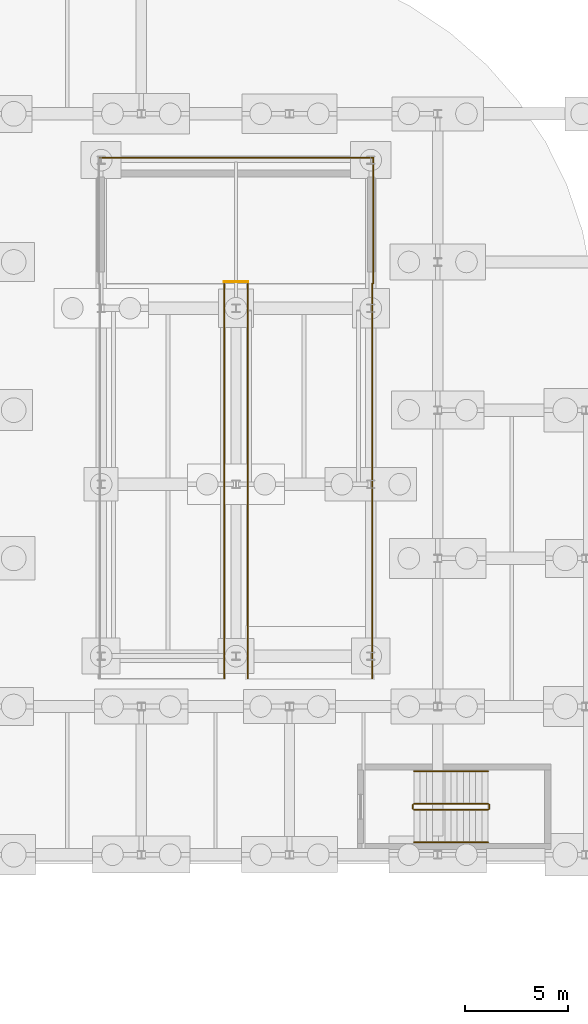
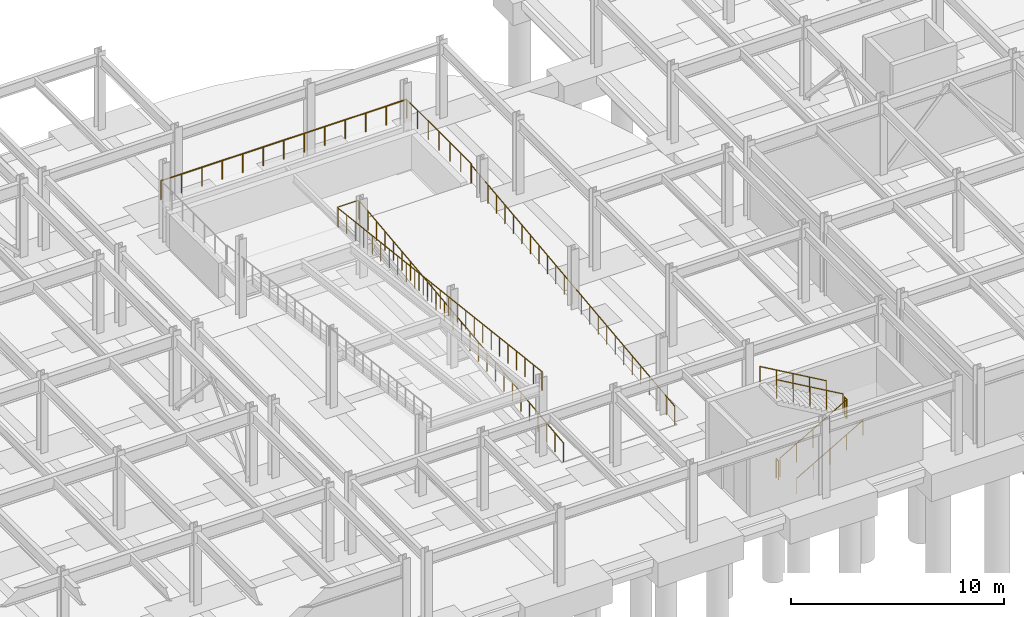
# One storey, part 52 of 54: 21 railings.
"""IFC4 building model written with IfcOpenShell, lengths in metres."""

from ifc_helpers import new_model, si_unit, direction, frame, origin, origin_2d, place, context, subcontext, project, spatial, circle, extrude, material, layer, layer_set, type_object, element, save


model = new_model("IFC4")

# Units and contexts
model_context = context("Model", 3, precision=1e-05, world=origin(), true_north=direction((0.0, 1.0)))
body_context = subcontext(model_context, "Body", "Model", "MODEL_VIEW")
ifc_project = project(units=[si_unit("LENGTHUNIT", "METRE"), si_unit("AREAUNIT", "SQUARE_METRE"), si_unit("VOLUMEUNIT", "CUBIC_METRE"), si_unit("PLANEANGLEUNIT", "RADIAN"), si_unit("MASSUNIT", "GRAM", prefix="KILO")], contexts=[model_context])

# Site, building, storey
site_placement = place(None, origin())
site = spatial("IfcSite", under=ifc_project, at=site_placement, CompositionType="ELEMENT")
building_placement = place(site_placement, origin())
building = spatial("IfcBuilding", under=site, at=building_placement, Name="Vaelcorin Mobility Hub", CompositionType="ELEMENT")
storey_placement = place(building_placement, frame((0.0, 0.0, -4.5)))
storey = spatial("IfcBuildingStorey", under=building, at=storey_placement, Name="B1", CompositionType="ELEMENT", Elevation=-4.5)

# Railings
ifc_material_1 = material(Name="Galvanised structural steel ASTM A36", Category="steel")
ifc_layer_1 = layer(ifc_material_1, 0.070068359375)
ifc_layer_set_1 = layer_set([ifc_layer_1], Name="Galvanised structural steel ASTM A36")
railing_type_1 = type_object("IfcRailingType", Name="RL-GUARD-1100", PredefinedType="BALUSTRADE", material=ifc_layer_set_1)
railing_1_placement = place(storey_placement, frame((135.97998046875, 85.360107421875, 0.0)))
element("IfcRailing", 1, at=railing_1_placement, inside=storey, type_object=railing_type_1, Name="B1 Ramp Guard GR-V2E-B1-FL1-W-01", PredefinedType="BALUSTRADE", context=body_context, shape_type="SweptSolid", body=[
    extrude(circle(Radius=0.02392578125, at=origin_2d()), frame((0.0, 0.0, 1.076171875), z_axis=(0.0, 0.993200909651, 0.116412856111), x_axis=(-1.0, 0.0, 0.0)), (0.0, 0.0, 1.0), 4.82763671875),
    extrude(circle(Radius=0.02099609375, at=origin_2d()), origin(), (0.0, 0.0, 1.0), 1.052001953125),
    extrude(circle(Radius=0.02099609375, at=origin_2d()), frame((0.0, 0.799072265625, 0.09375)), (0.0, 0.0, 1.0), 1.052001953125),
    extrude(circle(Radius=0.02099609375, at=origin_2d()), frame((0.0, 1.598388671875, 0.187255859375)), (0.0, 0.0, 1.0), 1.052001953125),
    extrude(circle(Radius=0.02099609375, at=origin_2d()), frame((0.0, 2.3974609375, 0.281005859375)), (0.0, 0.0, 1.0), 1.052001953125),
    extrude(circle(Radius=0.02099609375, at=origin_2d()), frame((0.0, 3.196533203125, 0.374755859375)), (0.0, 0.0, 1.0), 1.052001953125),
    extrude(circle(Radius=0.02099609375, at=origin_2d()), frame((0.0, 3.995849609375, 0.46826171875)), (0.0, 0.0, 1.0), 1.052001953125),
    extrude(circle(Radius=0.02099609375, at=origin_2d()), frame((0.0, 4.794921875, 0.56201171875)), (0.0, 0.0, 1.0), 1.052001953125),
])
railing_2_placement = place(storey_placement, frame((135.97998046875, 90.155029296875, 0.56201171875)))
element("IfcRailing", 2, at=railing_2_placement, inside=storey, type_object=railing_type_1, Name="B1 Ramp Guard GR-V2E-B1-FL1-W-02", PredefinedType="BALUSTRADE", context=body_context, shape_type="SweptSolid", body=[
    extrude(circle(Radius=0.02392578125, at=origin_2d()), frame((0.0, 0.0, 1.076171875), z_axis=(0.0, 0.993177502128, 0.116612388997), x_axis=(-1.0, 0.0, 0.0)), (0.0, 0.0, 1.0), 4.827880859375),
    extrude(circle(Radius=0.02099609375, at=origin_2d()), origin(), (0.0, 0.0, 1.0), 1.052001953125),
    extrude(circle(Radius=0.02099609375, at=origin_2d()), frame((0.0, 0.799072265625, 0.09375)), (0.0, 0.0, 1.0), 1.052001953125),
    extrude(circle(Radius=0.02099609375, at=origin_2d()), frame((0.0, 1.598388671875, 0.187744140625)), (0.0, 0.0, 1.0), 1.052001953125),
    extrude(circle(Radius=0.02099609375, at=origin_2d()), frame((0.0, 2.3974609375, 0.281494140625)), (0.0, 0.0, 1.0), 1.052001953125),
    extrude(circle(Radius=0.02099609375, at=origin_2d()), frame((0.0, 3.196533203125, 0.375244140625)), (0.0, 0.0, 1.0), 1.052001953125),
    extrude(circle(Radius=0.02099609375, at=origin_2d()), frame((0.0, 3.995849609375, 0.46923828125)), (0.0, 0.0, 1.0), 1.052001953125),
    extrude(circle(Radius=0.02099609375, at=origin_2d()), frame((0.0, 4.794921875, 0.56298828125)), (0.0, 0.0, 1.0), 1.052001953125),
])
railing_3_placement = place(storey_placement, frame((135.97998046875, 94.949951171875, 1.125)))
element("IfcRailing", 3, at=railing_3_placement, inside=storey, type_object=railing_type_1, Name="B1 Ramp Guard GR-V2E-B1-FL1-W-03", PredefinedType="BALUSTRADE", context=body_context, shape_type="SweptSolid", body=[
    extrude(circle(Radius=0.02392578125, at=origin_2d()), frame((0.0, 0.0, 1.076171875), z_axis=(0.0, 0.993178189737, 0.116606532536), x_axis=(-1.0, 0.0, 0.0)), (0.0, 0.0, 1.0), 4.828125),
    extrude(circle(Radius=0.02099609375, at=origin_2d()), origin(), (0.0, 0.0, 1.0), 1.052001953125),
    extrude(circle(Radius=0.02099609375, at=origin_2d()), frame((0.0, 0.79931640625, 0.09375)), (0.0, 0.0, 1.0), 1.052001953125),
    extrude(circle(Radius=0.02099609375, at=origin_2d()), frame((0.0, 1.598388671875, 0.187744140625)), (0.0, 0.0, 1.0), 1.052001953125),
    extrude(circle(Radius=0.02099609375, at=origin_2d()), frame((0.0, 2.3974609375, 0.281494140625)), (0.0, 0.0, 1.0), 1.052001953125),
    extrude(circle(Radius=0.02099609375, at=origin_2d()), frame((0.0, 3.19677734375, 0.375244140625)), (0.0, 0.0, 1.0), 1.052001953125),
    extrude(circle(Radius=0.02099609375, at=origin_2d()), frame((0.0, 3.99609375, 0.46923828125)), (0.0, 0.0, 1.0), 1.052001953125),
    extrude(circle(Radius=0.02099609375, at=origin_2d()), frame((0.0, 4.795166015625, 0.56298828125)), (0.0, 0.0, 1.0), 1.052001953125),
])
for number, where, name in (
    (4, (135.97998046875, 99.7451171875, 1.68798828125), "B1 Ramp Guard GR-V2E-B1-FL1-W-04"),
    (5, (142.02001953125, 85.360107421875, 0.0), "B1 Ramp Guard GR-V2E-B1-FL1-E-01"),
):
    element("IfcRailing", number, at=place(storey_placement, frame(where)), inside=storey, type_object=railing_type_1, Name=name, PredefinedType="BALUSTRADE", context=body_context, shape_type="SweptSolid", body=[
        extrude(circle(Radius=0.02392578125, at=origin_2d()), frame((0.0, 0.0, 1.076171875), z_axis=(0.0, 0.993200909651, 0.116412856111), x_axis=(-1.0, 0.0, 0.0)), (0.0, 0.0, 1.0), 4.82763671875),
        extrude(circle(Radius=0.02099609375, at=origin_2d()), origin(), (0.0, 0.0, 1.0), 1.052001953125),
        extrude(circle(Radius=0.02099609375, at=origin_2d()), frame((0.0, 0.799072265625, 0.09375)), (0.0, 0.0, 1.0), 1.052001953125),
        extrude(circle(Radius=0.02099609375, at=origin_2d()), frame((0.0, 1.598388671875, 0.187255859375)), (0.0, 0.0, 1.0), 1.052001953125),
        extrude(circle(Radius=0.02099609375, at=origin_2d()), frame((0.0, 2.3974609375, 0.281005859375)), (0.0, 0.0, 1.0), 1.052001953125),
        extrude(circle(Radius=0.02099609375, at=origin_2d()), frame((0.0, 3.196533203125, 0.374755859375)), (0.0, 0.0, 1.0), 1.052001953125),
        extrude(circle(Radius=0.02099609375, at=origin_2d()), frame((0.0, 3.995849609375, 0.46826171875)), (0.0, 0.0, 1.0), 1.052001953125),
        extrude(circle(Radius=0.02099609375, at=origin_2d()), frame((0.0, 4.794921875, 0.56201171875)), (0.0, 0.0, 1.0), 1.052001953125),
    ])
railing_4_placement = place(storey_placement, frame((142.02001953125, 90.155029296875, 0.56201171875)))
element("IfcRailing", 6, at=railing_4_placement, inside=storey, type_object=railing_type_1, Name="B1 Ramp Guard GR-V2E-B1-FL1-E-02", PredefinedType="BALUSTRADE", context=body_context, shape_type="SweptSolid", body=[
    extrude(circle(Radius=0.02392578125, at=origin_2d()), frame((0.0, 0.0, 1.076171875), z_axis=(0.0, 0.993177502128, 0.116612388997), x_axis=(-1.0, 0.0, 0.0)), (0.0, 0.0, 1.0), 4.827880859375),
    extrude(circle(Radius=0.02099609375, at=origin_2d()), origin(), (0.0, 0.0, 1.0), 1.052001953125),
    extrude(circle(Radius=0.02099609375, at=origin_2d()), frame((0.0, 0.799072265625, 0.09375)), (0.0, 0.0, 1.0), 1.052001953125),
    extrude(circle(Radius=0.02099609375, at=origin_2d()), frame((0.0, 1.598388671875, 0.187744140625)), (0.0, 0.0, 1.0), 1.052001953125),
    extrude(circle(Radius=0.02099609375, at=origin_2d()), frame((0.0, 2.3974609375, 0.281494140625)), (0.0, 0.0, 1.0), 1.052001953125),
    extrude(circle(Radius=0.02099609375, at=origin_2d()), frame((0.0, 3.196533203125, 0.375244140625)), (0.0, 0.0, 1.0), 1.052001953125),
    extrude(circle(Radius=0.02099609375, at=origin_2d()), frame((0.0, 3.995849609375, 0.46923828125)), (0.0, 0.0, 1.0), 1.052001953125),
    extrude(circle(Radius=0.02099609375, at=origin_2d()), frame((0.0, 4.794921875, 0.56298828125)), (0.0, 0.0, 1.0), 1.052001953125),
])
railing_5_placement = place(storey_placement, frame((142.02001953125, 94.949951171875, 1.125)))
element("IfcRailing", 7, at=railing_5_placement, inside=storey, type_object=railing_type_1, Name="B1 Ramp Guard GR-V2E-B1-FL1-E-03", PredefinedType="BALUSTRADE", context=body_context, shape_type="SweptSolid", body=[
    extrude(circle(Radius=0.02392578125, at=origin_2d()), frame((0.0, 0.0, 1.076171875), z_axis=(0.0, 0.993178189737, 0.116606532536), x_axis=(-1.0, 0.0, 0.0)), (0.0, 0.0, 1.0), 4.828125),
    extrude(circle(Radius=0.02099609375, at=origin_2d()), origin(), (0.0, 0.0, 1.0), 1.052001953125),
    extrude(circle(Radius=0.02099609375, at=origin_2d()), frame((0.0, 0.79931640625, 0.09375)), (0.0, 0.0, 1.0), 1.052001953125),
    extrude(circle(Radius=0.02099609375, at=origin_2d()), frame((0.0, 1.598388671875, 0.187744140625)), (0.0, 0.0, 1.0), 1.052001953125),
    extrude(circle(Radius=0.02099609375, at=origin_2d()), frame((0.0, 2.3974609375, 0.281494140625)), (0.0, 0.0, 1.0), 1.052001953125),
    extrude(circle(Radius=0.02099609375, at=origin_2d()), frame((0.0, 3.19677734375, 0.375244140625)), (0.0, 0.0, 1.0), 1.052001953125),
    extrude(circle(Radius=0.02099609375, at=origin_2d()), frame((0.0, 3.99609375, 0.46923828125)), (0.0, 0.0, 1.0), 1.052001953125),
    extrude(circle(Radius=0.02099609375, at=origin_2d()), frame((0.0, 4.795166015625, 0.56298828125)), (0.0, 0.0, 1.0), 1.052001953125),
])
railing_6_placement = place(storey_placement, frame((142.02001953125, 99.7451171875, 1.68798828125)))
element("IfcRailing", 8, at=railing_6_placement, inside=storey, type_object=railing_type_1, Name="B1 Ramp Guard GR-V2E-B1-FL1-E-04", PredefinedType="BALUSTRADE", context=body_context, shape_type="SweptSolid", body=[
    extrude(circle(Radius=0.02392578125, at=origin_2d()), frame((0.0, 0.0, 1.076171875), z_axis=(0.0, 0.993200909651, 0.116412856111), x_axis=(-1.0, 0.0, 0.0)), (0.0, 0.0, 1.0), 4.82763671875),
    extrude(circle(Radius=0.02099609375, at=origin_2d()), origin(), (0.0, 0.0, 1.0), 1.052001953125),
    extrude(circle(Radius=0.02099609375, at=origin_2d()), frame((0.0, 0.799072265625, 0.09375)), (0.0, 0.0, 1.0), 1.052001953125),
    extrude(circle(Radius=0.02099609375, at=origin_2d()), frame((0.0, 1.598388671875, 0.187255859375)), (0.0, 0.0, 1.0), 1.052001953125),
    extrude(circle(Radius=0.02099609375, at=origin_2d()), frame((0.0, 2.3974609375, 0.281005859375)), (0.0, 0.0, 1.0), 1.052001953125),
    extrude(circle(Radius=0.02099609375, at=origin_2d()), frame((0.0, 3.196533203125, 0.374755859375)), (0.0, 0.0, 1.0), 1.052001953125),
    extrude(circle(Radius=0.02099609375, at=origin_2d()), frame((0.0, 3.995849609375, 0.46826171875)), (0.0, 0.0, 1.0), 1.052001953125),
    extrude(circle(Radius=0.02099609375, at=origin_2d()), frame((0.0, 4.794921875, 0.56201171875)), (0.0, 0.0, 1.0), 1.052001953125),
])
railing_7_placement = place(storey_placement, frame((134.820068359375, 104.5400390625, 2.25)))
element("IfcRailing", 9, at=railing_7_placement, inside=storey, type_object=railing_type_1, Name="B1 Ramp Guard GR-V2E-B1-FL2-E-01", PredefinedType="BALUSTRADE", context=body_context, shape_type="SweptSolid", body=[
    extrude(circle(Radius=0.02392578125, at=origin_2d()), frame((0.0, 0.0, 1.076171875), z_axis=(0.0, -0.993200909651, 0.116412856111), x_axis=(1.0, 0.0, 0.0)), (0.0, 0.0, 1.0), 4.82763671875),
    extrude(circle(Radius=0.02099609375, at=origin_2d()), origin(), (0.0, 0.0, 1.0), 1.052001953125),
    extrude(circle(Radius=0.02099609375, at=origin_2d()), frame((0.0, -0.799072265625, 0.09375)), (0.0, 0.0, 1.0), 1.052001953125),
    extrude(circle(Radius=0.02099609375, at=origin_2d()), frame((0.0, -1.598388671875, 0.187255859375)), (0.0, 0.0, 1.0), 1.052001953125),
    extrude(circle(Radius=0.02099609375, at=origin_2d()), frame((0.0, -2.3974609375, 0.281005859375)), (0.0, 0.0, 1.0), 1.052001953125),
    extrude(circle(Radius=0.02099609375, at=origin_2d()), frame((0.0, -3.196533203125, 0.374755859375)), (0.0, 0.0, 1.0), 1.052001953125),
    extrude(circle(Radius=0.02099609375, at=origin_2d()), frame((0.0, -3.995849609375, 0.46826171875)), (0.0, 0.0, 1.0), 1.052001953125),
    extrude(circle(Radius=0.02099609375, at=origin_2d()), frame((0.0, -4.794921875, 0.56201171875)), (0.0, 0.0, 1.0), 1.052001953125),
])
railing_8_placement = place(storey_placement, frame((134.820068359375, 99.7451171875, 2.81201171875)))
element("IfcRailing", 10, at=railing_8_placement, inside=storey, type_object=railing_type_1, Name="B1 Ramp Guard GR-V2E-B1-FL2-E-02", PredefinedType="BALUSTRADE", context=body_context, shape_type="SweptSolid", body=[
    extrude(circle(Radius=0.02392578125, at=origin_2d()), frame((0.0, 0.0, 1.076171875), z_axis=(0.0, -0.993178189737, 0.116606532536), x_axis=(1.0, 0.0, 0.0)), (0.0, 0.0, 1.0), 4.828125),
    extrude(circle(Radius=0.02099609375, at=origin_2d()), origin(), (0.0, 0.0, 1.0), 1.052001953125),
    extrude(circle(Radius=0.02099609375, at=origin_2d()), frame((0.0, -0.79931640625, 0.09375)), (0.0, 0.0, 1.0), 1.052001953125),
    extrude(circle(Radius=0.02099609375, at=origin_2d()), frame((0.0, -1.598388671875, 0.187744140625)), (0.0, 0.0, 1.0), 1.052001953125),
    extrude(circle(Radius=0.02099609375, at=origin_2d()), frame((0.0, -2.3974609375, 0.281494140625)), (0.0, 0.0, 1.0), 1.052001953125),
    extrude(circle(Radius=0.02099609375, at=origin_2d()), frame((0.0, -3.19677734375, 0.375244140625)), (0.0, 0.0, 1.0), 1.052001953125),
    extrude(circle(Radius=0.02099609375, at=origin_2d()), frame((0.0, -3.99609375, 0.46923828125)), (0.0, 0.0, 1.0), 1.052001953125),
    extrude(circle(Radius=0.02099609375, at=origin_2d()), frame((0.0, -4.795166015625, 0.56298828125)), (0.0, 0.0, 1.0), 1.052001953125),
])
railing_9_placement = place(storey_placement, frame((134.820068359375, 94.949951171875, 3.375)))
element("IfcRailing", 11, at=railing_9_placement, inside=storey, type_object=railing_type_1, Name="B1 Ramp Guard GR-V2E-B1-FL2-E-03", PredefinedType="BALUSTRADE", context=body_context, shape_type="SweptSolid", body=[
    extrude(circle(Radius=0.02392578125, at=origin_2d()), frame((0.0, 0.0, 1.076171875), z_axis=(0.0, -0.993177502128, 0.116612388997), x_axis=(1.0, 0.0, 0.0)), (0.0, 0.0, 1.0), 4.827880859375),
    extrude(circle(Radius=0.02099609375, at=origin_2d()), origin(), (0.0, 0.0, 1.0), 1.052001953125),
    extrude(circle(Radius=0.02099609375, at=origin_2d()), frame((0.0, -0.799072265625, 0.09375)), (0.0, 0.0, 1.0), 1.052001953125),
    extrude(circle(Radius=0.02099609375, at=origin_2d()), frame((0.0, -1.598388671875, 0.187744140625)), (0.0, 0.0, 1.0), 1.052001953125),
    extrude(circle(Radius=0.02099609375, at=origin_2d()), frame((0.0, -2.3974609375, 0.281494140625)), (0.0, 0.0, 1.0), 1.052001953125),
    extrude(circle(Radius=0.02099609375, at=origin_2d()), frame((0.0, -3.196533203125, 0.375244140625)), (0.0, 0.0, 1.0), 1.052001953125),
    extrude(circle(Radius=0.02099609375, at=origin_2d()), frame((0.0, -3.995849609375, 0.46923828125)), (0.0, 0.0, 1.0), 1.052001953125),
    extrude(circle(Radius=0.02099609375, at=origin_2d()), frame((0.0, -4.794921875, 0.56298828125)), (0.0, 0.0, 1.0), 1.052001953125),
])
railing_10_placement = place(storey_placement, frame((134.820068359375, 90.155029296875, 3.93798828125)))
element("IfcRailing", 12, at=railing_10_placement, inside=storey, type_object=railing_type_1, Name="B1 Ramp Guard GR-V2E-B1-FL2-E-04", PredefinedType="BALUSTRADE", context=body_context, shape_type="SweptSolid", body=[
    extrude(circle(Radius=0.02392578125, at=origin_2d()), frame((0.0, 0.0, 1.076171875), z_axis=(0.0, -0.993200909651, 0.116412856111), x_axis=(1.0, 0.0, 0.0)), (0.0, 0.0, 1.0), 4.82763671875),
    extrude(circle(Radius=0.02099609375, at=origin_2d()), origin(), (0.0, 0.0, 1.0), 1.052001953125),
    extrude(circle(Radius=0.02099609375, at=origin_2d()), frame((0.0, -0.799072265625, 0.09375)), (0.0, 0.0, 1.0), 1.052001953125),
    extrude(circle(Radius=0.02099609375, at=origin_2d()), frame((0.0, -1.598388671875, 0.187255859375)), (0.0, 0.0, 1.0), 1.052001953125),
    extrude(circle(Radius=0.02099609375, at=origin_2d()), frame((0.0, -2.3974609375, 0.281005859375)), (0.0, 0.0, 1.0), 1.052001953125),
    extrude(circle(Radius=0.02099609375, at=origin_2d()), frame((0.0, -3.196533203125, 0.374755859375)), (0.0, 0.0, 1.0), 1.052001953125),
    extrude(circle(Radius=0.02099609375, at=origin_2d()), frame((0.0, -3.995849609375, 0.46826171875)), (0.0, 0.0, 1.0), 1.052001953125),
    extrude(circle(Radius=0.02099609375, at=origin_2d()), frame((0.0, -4.794921875, 0.56201171875)), (0.0, 0.0, 1.0), 1.052001953125),
])
railing_11_placement = place(storey_placement, frame((128.72998046875, 110.669921875, 2.25)))
element("IfcRailing", 13, at=railing_11_placement, inside=storey, type_object=railing_type_1, Name="B1 Perimeter Guard GR-V2E-B1-LND-02", PredefinedType="BALUSTRADE", context=body_context, shape_type="SweptSolid", body=[
    extrude(circle(Radius=0.02392578125, at=origin_2d()), frame((0.0, 0.0, 1.076171875), z_axis=(1.0, 0.0, 0.0), x_axis=(0.0, 1.0, 0.0)), (0.0, 0.0, 1.0), 13.340087890625),
    extrude(circle(Radius=0.02099609375, at=origin_2d()), origin(), (0.0, 0.0, 1.0), 1.052001953125),
    extrude(circle(Radius=0.02099609375, at=origin_2d()), frame((1.111572265625, 0.0, 0.0)), (0.0, 0.0, 1.0), 1.052001953125),
    extrude(circle(Radius=0.02099609375, at=origin_2d()), frame((2.223388671875, 0.0, 0.0)), (0.0, 0.0, 1.0), 1.052001953125),
    extrude(circle(Radius=0.02099609375, at=origin_2d()), frame((3.3349609375, 0.0, 0.0)), (0.0, 0.0, 1.0), 1.052001953125),
    extrude(circle(Radius=0.02099609375, at=origin_2d()), frame((4.44677734375, 0.0, 0.0)), (0.0, 0.0, 1.0), 1.052001953125),
    extrude(circle(Radius=0.02099609375, at=origin_2d()), frame((5.558349609375, 0.0, 0.0)), (0.0, 0.0, 1.0), 1.052001953125),
    extrude(circle(Radius=0.02099609375, at=origin_2d()), frame((6.669921875, 0.0, 0.0)), (0.0, 0.0, 1.0), 1.052001953125),
    extrude(circle(Radius=0.02099609375, at=origin_2d()), frame((7.78173828125, 0.0, 0.0)), (0.0, 0.0, 1.0), 1.052001953125),
    extrude(circle(Radius=0.02099609375, at=origin_2d()), frame((8.893310546875, 0.0, 0.0)), (0.0, 0.0, 1.0), 1.052001953125),
    extrude(circle(Radius=0.02099609375, at=origin_2d()), frame((10.005126953125, 0.0, 0.0)), (0.0, 0.0, 1.0), 1.052001953125),
    extrude(circle(Radius=0.02099609375, at=origin_2d()), frame((11.11669921875, 0.0, 0.0)), (0.0, 0.0, 1.0), 1.052001953125),
    extrude(circle(Radius=0.02099609375, at=origin_2d()), frame((12.228515625, 0.0, 0.0)), (0.0, 0.0, 1.0), 1.052001953125),
    extrude(circle(Radius=0.02099609375, at=origin_2d()), frame((13.340087890625, 0.0, 0.0)), (0.0, 0.0, 1.0), 1.052001953125),
])
railing_12_placement = place(storey_placement, frame((142.070068359375, 110.669921875, 2.25)))
element("IfcRailing", 14, at=railing_12_placement, inside=storey, type_object=railing_type_1, Name="B1 Perimeter Guard GR-V2E-B1-LND-03", PredefinedType="BALUSTRADE", context=body_context, shape_type="SweptSolid", body=[
    extrude(circle(Radius=0.02392578125, at=origin_2d()), frame((0.0, 0.0, 1.076171875), z_axis=(0.0, -1.0, 0.0), x_axis=(1.0, 0.0, 0.0)), (0.0, 0.0, 1.0), 6.10986328125),
    extrude(circle(Radius=0.02099609375, at=origin_2d()), origin(), (0.0, 0.0, 1.0), 1.052001953125),
    extrude(circle(Radius=0.02099609375, at=origin_2d()), frame((0.0, -1.018310546875, 0.0)), (0.0, 0.0, 1.0), 1.052001953125),
    extrude(circle(Radius=0.02099609375, at=origin_2d()), frame((0.0, -2.03662109375, 0.0)), (0.0, 0.0, 1.0), 1.052001953125),
    extrude(circle(Radius=0.02099609375, at=origin_2d()), frame((0.0, -3.054931640625, 0.0)), (0.0, 0.0, 1.0), 1.052001953125),
    extrude(circle(Radius=0.02099609375, at=origin_2d()), frame((0.0, -4.0732421875, 0.0)), (0.0, 0.0, 1.0), 1.052001953125),
    extrude(circle(Radius=0.02099609375, at=origin_2d()), frame((0.0, -5.091552734375, 0.0)), (0.0, 0.0, 1.0), 1.052001953125),
    extrude(circle(Radius=0.02099609375, at=origin_2d()), frame((0.0, -6.10986328125, 0.0)), (0.0, 0.0, 1.0), 1.052001953125),
])
railing_13_placement = place(storey_placement, frame((134.820068359375, 104.639892578125, 2.25)))
element("IfcRailing", 15, at=railing_13_placement, inside=storey, type_object=railing_type_1, Name="B1 Perimeter Guard GR-V2E-B1-LND-MED-01", PredefinedType="BALUSTRADE", context=body_context, shape_type="SweptSolid", body=[
    extrude(circle(Radius=0.02392578125, at=origin_2d()), frame((0.0, 0.0, 1.076171875), z_axis=(1.0, 0.0, 0.0), x_axis=(0.0, 1.0, 0.0)), (0.0, 0.0, 1.0), 1.159912109375),
    extrude(circle(Radius=0.02099609375, at=origin_2d()), origin(), (0.0, 0.0, 1.0), 1.052001953125),
    extrude(circle(Radius=0.02099609375, at=origin_2d()), frame((1.159912109375, 0.0, 0.0)), (0.0, 0.0, 1.0), 1.052001953125),
])
ifc_material_2 = material(Name="Brushed stainless steel 316L", Category="steel")
ifc_layer_2 = layer(ifc_material_2, 0.048095703125)
ifc_layer_set_2 = layer_set([ifc_layer_2], Name="Brushed stainless steel 316L")
railing_type_2 = type_object("IfcRailingType", Name="RL-STAIR-GRD", PredefinedType="GUARDRAIL", material=ifc_layer_set_2)
railing_14_placement = place(storey_placement, frame((144.050048828125, 78.97998046875, 0.173095703125)))
element("IfcRailing", 16, at=railing_14_placement, inside=storey, type_object=railing_type_2, Name="B1 ST2 stair guard 1", PredefinedType="GUARDRAIL", context=body_context, shape_type="SweptSolid", body=[
    extrude(circle(Radius=0.02392578125, at=origin_2d()), frame((0.0, 0.0, 1.076171875), z_axis=(0.866178740119, 0.0, 0.499734319579), x_axis=(0.0, 1.0, 0.0)), (0.0, 0.0, 1.0), 4.156005859375),
    extrude(circle(Radius=0.02099609375, at=origin_2d()), origin(), (0.0, 0.0, 1.0), 1.052001953125),
    extrude(circle(Radius=0.02099609375, at=origin_2d()), frame((0.89990234375, 0.0, 0.519287109375)), (0.0, 0.0, 1.0), 1.052001953125),
    extrude(circle(Radius=0.02099609375, at=origin_2d()), frame((1.7998046875, 0.0, 1.03857421875)), (0.0, 0.0, 1.0), 1.052001953125),
    extrude(circle(Radius=0.02099609375, at=origin_2d()), frame((2.699951171875, 0.0, 1.5576171875)), (0.0, 0.0, 1.0), 1.052001953125),
    extrude(circle(Radius=0.02099609375, at=origin_2d()), frame((3.599853515625, 0.0, 2.076904296875)), (0.0, 0.0, 1.0), 1.052001953125),
])
railing_15_placement = place(storey_placement, frame((147.699951171875, 79.030029296875, 2.25)))
element("IfcRailing", 17, at=railing_15_placement, inside=storey, type_object=railing_type_2, Name="B1 ST2 stair guard 2", PredefinedType="GUARDRAIL", context=body_context, shape_type="SweptSolid", body=[
    extrude(circle(Radius=0.02392578125, at=origin_2d()), frame((0.0, 0.0, 1.076171875), z_axis=(0.0, 1.0, 0.0), x_axis=(-1.0, 0.0, 0.0)), (0.0, 0.0, 1.0), 0.199951171875),
    extrude(circle(Radius=0.02099609375, at=origin_2d()), origin(), (0.0, 0.0, 1.0), 1.052001953125),
    extrude(circle(Radius=0.02099609375, at=origin_2d()), frame((0.0, 0.199951171875, 0.0)), (0.0, 0.0, 1.0), 1.052001953125),
])
railing_16_placement = place(storey_placement, frame((147.64990234375, 79.280029296875, 2.423095703125)))
element("IfcRailing", 18, at=railing_16_placement, inside=storey, type_object=railing_type_2, Name="B1 ST2 stair guard 3", PredefinedType="GUARDRAIL", context=body_context, shape_type="SweptSolid", body=[
    extrude(circle(Radius=0.02392578125, at=origin_2d()), frame((0.0, 0.0, 1.076171875), z_axis=(-0.866178740119, 0.0, 0.499734319579), x_axis=(0.0, -1.0, 0.0)), (0.0, 0.0, 1.0), 4.156005859375),
    extrude(circle(Radius=0.02099609375, at=origin_2d()), origin(), (0.0, 0.0, 1.0), 1.052001953125),
    extrude(circle(Radius=0.02099609375, at=origin_2d()), frame((-0.89990234375, 0.0, 0.519287109375)), (0.0, 0.0, 1.0), 1.052001953125),
    extrude(circle(Radius=0.02099609375, at=origin_2d()), frame((-1.7998046875, 0.0, 1.03857421875)), (0.0, 0.0, 1.0), 1.052001953125),
    extrude(circle(Radius=0.02099609375, at=origin_2d()), frame((-2.699951171875, 0.0, 1.5576171875)), (0.0, 0.0, 1.0), 1.052001953125),
    extrude(circle(Radius=0.02099609375, at=origin_2d()), frame((-3.599853515625, 0.0, 2.076904296875)), (0.0, 0.0, 1.0), 1.052001953125),
])
railing_17_placement = place(storey_placement, frame((144.0, 79.030029296875, 0.0)))
element("IfcRailing", 19, at=railing_17_placement, inside=storey, type_object=railing_type_2, Name="B1 ST2 stair guard 4", PredefinedType="GUARDRAIL", context=body_context, shape_type="SweptSolid", body=[
    extrude(circle(Radius=0.02392578125, at=origin_2d()), frame((0.0, 0.0, 1.076171875), z_axis=(0.0, 1.0, 0.0), x_axis=(-1.0, 0.0, 0.0)), (0.0, 0.0, 1.0), 0.199951171875),
    extrude(circle(Radius=0.02099609375, at=origin_2d()), origin(), (0.0, 0.0, 1.0), 1.052001953125),
    extrude(circle(Radius=0.02099609375, at=origin_2d()), frame((0.0, 0.199951171875, 0.0)), (0.0, 0.0, 1.0), 1.052001953125),
])
ifc_layer_3 = layer(ifc_material_2, 0.048095703125)
ifc_layer_set_3 = layer_set([ifc_layer_3], Name="Brushed stainless steel 316L")
railing_type_3 = type_object("IfcRailingType", Name="RL-STAIR-HR", PredefinedType="HANDRAIL", material=ifc_layer_set_3)
railing_18_placement = place(storey_placement, frame((144.050048828125, 77.39990234375, 0.173095703125)))
element("IfcRailing", 20, at=railing_18_placement, inside=storey, type_object=railing_type_3, Name="B1 ST2 stair handrail 1", PredefinedType="HANDRAIL", context=body_context, shape_type="SweptSolid", body=[
    extrude(circle(Radius=0.02392578125, at=origin_2d()), frame((0.0, 0.0, 0.8759765625), z_axis=(0.866178740119, 0.0, 0.499734319579), x_axis=(0.0, 1.0, 0.0)), (0.0, 0.0, 1.0), 4.156005859375),
    extrude(circle(Radius=0.02099609375, at=origin_2d()), origin(), (0.0, 0.0, 1.0), 0.851806640625),
    extrude(circle(Radius=0.02099609375, at=origin_2d()), frame((0.89990234375, 0.0, 0.519287109375)), (0.0, 0.0, 1.0), 0.851806640625),
    extrude(circle(Radius=0.02099609375, at=origin_2d()), frame((1.7998046875, 0.0, 1.03857421875)), (0.0, 0.0, 1.0), 0.851806640625),
    extrude(circle(Radius=0.02099609375, at=origin_2d()), frame((2.699951171875, 0.0, 1.5576171875)), (0.0, 0.0, 1.0), 0.851806640625),
    extrude(circle(Radius=0.02099609375, at=origin_2d()), frame((3.599853515625, 0.0, 2.076904296875)), (0.0, 0.0, 1.0), 0.851806640625),
])
railing_19_placement = place(storey_placement, frame((147.64990234375, 80.860107421875, 2.423095703125)))
element("IfcRailing", 21, at=railing_19_placement, inside=storey, type_object=railing_type_3, Name="B1 ST2 stair handrail 2", PredefinedType="HANDRAIL", context=body_context, shape_type="SweptSolid", body=[
    extrude(circle(Radius=0.02392578125, at=origin_2d()), frame((0.0, 0.0, 0.8759765625), z_axis=(-0.866178740119, 0.0, 0.499734319579), x_axis=(0.0, -1.0, 0.0)), (0.0, 0.0, 1.0), 4.156005859375),
    extrude(circle(Radius=0.02099609375, at=origin_2d()), origin(), (0.0, 0.0, 1.0), 0.851806640625),
    extrude(circle(Radius=0.02099609375, at=origin_2d()), frame((-0.89990234375, 0.0, 0.519287109375)), (0.0, 0.0, 1.0), 0.851806640625),
    extrude(circle(Radius=0.02099609375, at=origin_2d()), frame((-1.7998046875, 0.0, 1.03857421875)), (0.0, 0.0, 1.0), 0.851806640625),
    extrude(circle(Radius=0.02099609375, at=origin_2d()), frame((-2.699951171875, 0.0, 1.5576171875)), (0.0, 0.0, 1.0), 0.851806640625),
    extrude(circle(Radius=0.02099609375, at=origin_2d()), frame((-3.599853515625, 0.0, 2.076904296875)), (0.0, 0.0, 1.0), 0.851806640625),
])

save(model, "model.ifc")
